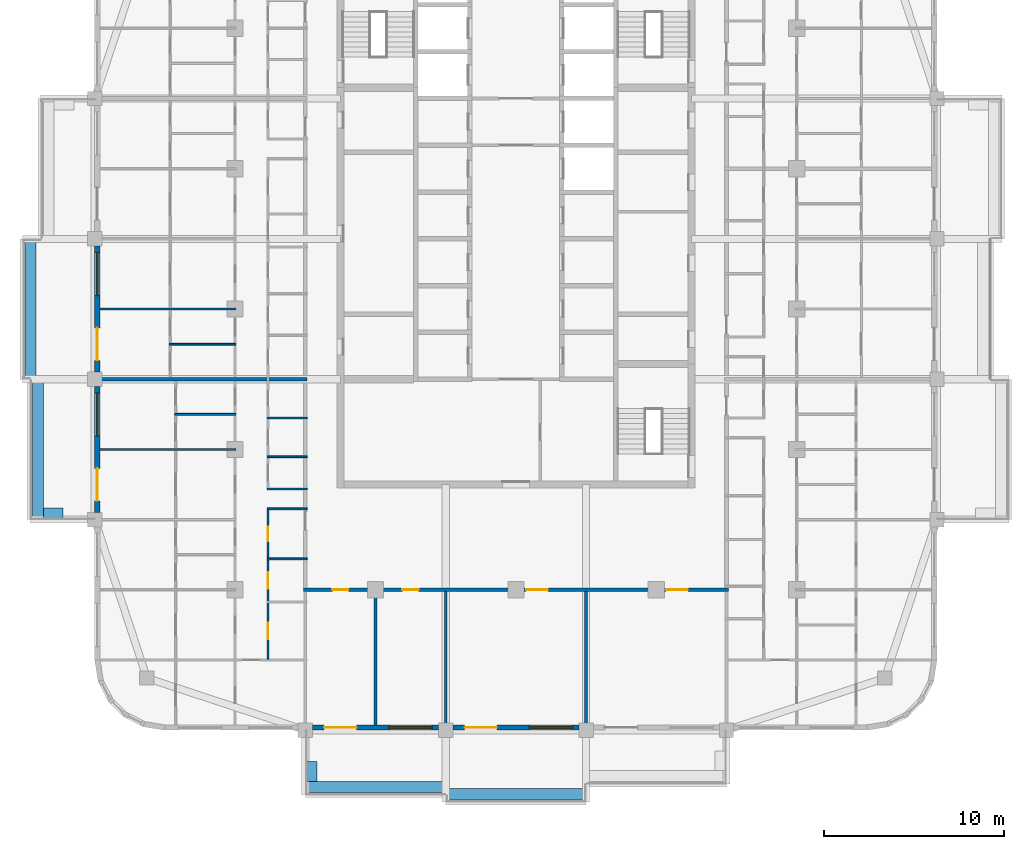
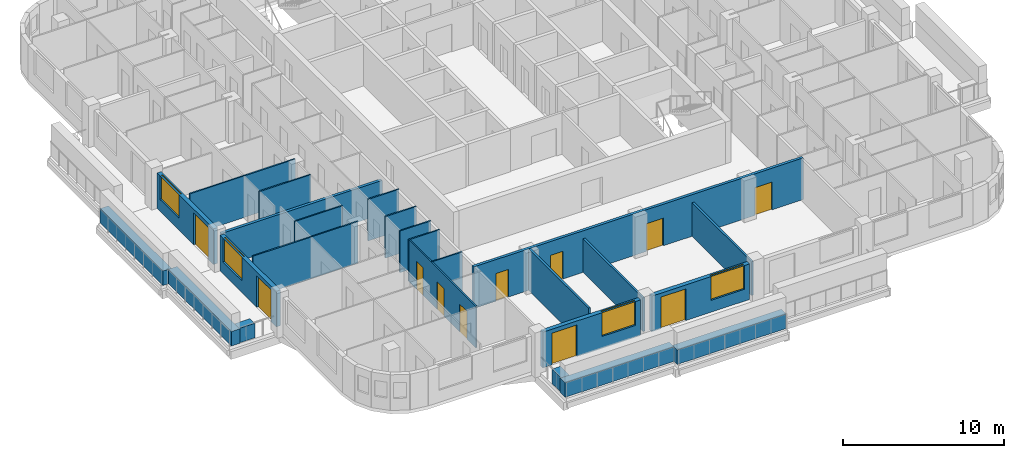
# One storey, part 3 of 16: 25 walls, 11 doors, 4 windows, 15 openings.
"""IFC4 building model written with IfcOpenShell, lengths in metres."""

from ifc_helpers import new_model, si_unit, direction, frame, frame_2d, origin, place, context, subcontext, project, spatial, rectangle, extrude, material, layer, layer_set, type_object, element, fill, save


model = new_model("IFC4")

# Units and contexts
model_context = context("Model", 3, precision=1e-05, world=origin(), true_north=direction((0.0, 1.0)))
body_context = subcontext(model_context, "Body", "Model", "MODEL_VIEW")
ifc_project = project(units=[si_unit("LENGTHUNIT", "METRE"), si_unit("AREAUNIT", "SQUARE_METRE"), si_unit("VOLUMEUNIT", "CUBIC_METRE"), si_unit("PLANEANGLEUNIT", "RADIAN"), si_unit("MASSUNIT", "GRAM", prefix="KILO")], contexts=[model_context])

# Site, building, storey
site_placement = place(None, origin())
site = spatial("IfcSite", under=ifc_project, at=site_placement, CompositionType="ELEMENT")
building_placement = place(site_placement, origin())
building = spatial("IfcBuilding", under=site, at=building_placement, Name="Ludao Terraces", CompositionType="ELEMENT")
storey_placement = place(building_placement, frame((0.0, 0.0, 207.5)))
storey = spatial("IfcBuildingStorey", under=building, at=storey_placement, Name="L56", CompositionType="ELEMENT", Elevation=207.5)

# Walls
ifc_material_1 = material(Name="Concrete C40", Category="concrete")
ifc_layer_1 = layer(ifc_material_1, 0.60009765625)
ifc_layer_set_1 = layer_set([ifc_layer_1], Name="ENV Planter trough 600")
wall_type_1 = type_object("IfcWallType", Name="ENV Planter trough 600", PredefinedType="USERDEFINED", material=ifc_layer_set_1)
wall_1_placement = place(storey_placement, frame((73.300048828125, 38.449951171875, 0.0), z_axis=(0.0, 0.0, 1.0), x_axis=(1.0, 0.0, 0.0)))
element("IfcWall", 1, at=wall_1_placement, inside=storey, type_object=wall_type_1, Name="PL-L56-S1", ObjectType="PLANTER", PredefinedType="USERDEFINED", context=body_context, shape_type="SweptSolid", body=[
    extrude(rectangle(XDim=7.800048828125, YDim=0.60009765625, at=frame_2d((3.89990234375, 0.0))), origin(), (0.0, 0.0, 1.0), 1.10009765625),
])
wall_2_placement = place(storey_placement, frame((73.64990234375, 38.75, 0.0), z_axis=(0.0, 0.0, 1.0), x_axis=(0.0, 1.0, 0.0)))
element("IfcWall", 2, at=wall_2_placement, inside=storey, type_object=wall_type_1, Name="PL-L56-S1-SA", ObjectType="PLANTER", PredefinedType="USERDEFINED", context=body_context, shape_type="SweptSolid", body=[
    extrude(rectangle(XDim=1.10009765625, YDim=0.60009765625, at=frame_2d((0.550048828125, 0.0))), origin(), (0.0, 0.0, 1.0), 1.10009765625),
])
wall_3_placement = place(storey_placement, frame((81.10009765625, 38.050048828125, 0.0), z_axis=(0.0, 0.0, 1.0), x_axis=(1.0, 0.0, 0.0)))
element("IfcWall", 3, at=wall_3_placement, inside=storey, type_object=wall_type_1, Name="PL-L56-S2", ObjectType="PLANTER", PredefinedType="USERDEFINED", context=body_context, shape_type="SweptSolid", body=[
    extrude(rectangle(XDim=7.7998046875, YDim=0.60009765625, at=frame_2d((3.89990234375, 0.0))), origin(), (0.0, 0.0, 1.0), 1.10009765625),
])
wall_4_placement = place(storey_placement, frame((58.449951171875, 53.300048828125, 0.0), z_axis=(0.0, 0.0, 1.0), x_axis=(0.0, 1.0, 0.0)))
element("IfcWall", 4, at=wall_4_placement, inside=storey, type_object=wall_type_1, Name="PL-L56-W1", ObjectType="PLANTER", PredefinedType="USERDEFINED", context=body_context, shape_type="SweptSolid", body=[
    extrude(rectangle(XDim=7.800048828125, YDim=0.60009765625, at=frame_2d((3.89990234375, 0.0))), origin(), (0.0, 0.0, 1.0), 1.10009765625),
])
wall_5_placement = place(storey_placement, frame((58.75, 53.64990234375, 0.0), z_axis=(0.0, 0.0, 1.0), x_axis=(1.0, 0.0, 0.0)))
element("IfcWall", 5, at=wall_5_placement, inside=storey, type_object=wall_type_1, Name="PL-L56-W1-SA", ObjectType="PLANTER", PredefinedType="USERDEFINED", context=body_context, shape_type="SweptSolid", body=[
    extrude(rectangle(XDim=1.10009765625, YDim=0.60009765625, at=frame_2d((0.550048828125, 0.0))), origin(), (0.0, 0.0, 1.0), 1.10009765625),
])
wall_6_placement = place(storey_placement, frame((58.050048828125, 61.10009765625, 0.0), z_axis=(0.0, 0.0, 1.0), x_axis=(0.0, 1.0, 0.0)))
element("IfcWall", 6, at=wall_6_placement, inside=storey, type_object=wall_type_1, Name="PL-L56-W2", ObjectType="PLANTER", PredefinedType="USERDEFINED", context=body_context, shape_type="SweptSolid", body=[
    extrude(rectangle(XDim=7.7998046875, YDim=0.60009765625, at=frame_2d((3.89990234375, 0.0))), origin(), (0.0, 0.0, 1.0), 1.10009765625),
])

# Wall, openings, door, window
ifc_material_2 = material(Name="Granite cladding", Category="masonry")
ifc_layer_2 = layer(ifc_material_2, 0.0400390625, Category="stone")
ifc_material_3 = material(Name="Mineral wool")
ifc_layer_3 = layer(ifc_material_3, 0.06005859375)
ifc_layer_4 = layer(ifc_material_1, 0.199951171875, Category="concrete")
ifc_layer_set_2 = layer_set([ifc_layer_2, ifc_layer_3, ifc_layer_4], Name="ENV Stone-clad wall 300")
wall_type_2 = type_object("IfcWallType", Name="ENV Stone-clad wall 300", PredefinedType="SOLIDWALL", material=ifc_layer_set_2)
wall_7_placement = place(storey_placement, frame((73.699951171875, 41.75, 0.0), z_axis=(0.0, 0.0, 1.0), x_axis=(1.0, 0.0, 0.0)))
wall_7 = element("IfcWall", 7, at=wall_7_placement, inside=storey, type_object=wall_type_2, Name="EW-L56-S2", PredefinedType="SOLIDWALL", context=body_context, shape_type="SweptSolid", body=[
    extrude(rectangle(XDim=7.0, YDim=0.300048828125, at=frame_2d((3.5, 0.0))), origin(), (0.0, 0.0, 1.0), 2.699951171875),
])
opening_1_placement = place(wall_7_placement, frame((0.64990234375, 0.0, 0.0)))
opening_1 = element("IfcOpeningElement", 8, at=opening_1_placement, cuts=wall_7, Name="Opening BD", PredefinedType="OPENING", context=body_context, shape_type="SweptSolid", body=[
    extrude(rectangle(XDim=1.800048828125, YDim=2.39990234375, at=frame_2d((0.89990234375, 1.199951171875))), frame((0.0, 0.16015625, 0.0), z_axis=(0.0, -1.0, 0.0), x_axis=(1.0, 0.0, 0.0)), (0.0, 0.0, 1.0), 0.320068359375),
])
opening_2_placement = place(wall_7_placement, frame((4.25, 0.0, 0.89990234375)))
opening_2 = element("IfcOpeningElement", 9, at=opening_2_placement, cuts=wall_7, Name="Opening W1", PredefinedType="OPENING", context=body_context, shape_type="SweptSolid", body=[
    extrude(rectangle(XDim=2.39990234375, YDim=1.800048828125, at=frame_2d((1.199951171875, 0.89990234375))), frame((0.0, 0.16015625, 0.0), z_axis=(0.0, -1.0, 0.0), x_axis=(1.0, 0.0, 0.0)), (0.0, 0.0, 1.0), 0.320068359375),
])
ifc_material_4 = material(Name="Aluminium glazed door", Category="aluminium")
ifc_layer_5 = layer(ifc_material_4, 0.06005859375)
ifc_layer_set_3 = layer_set([ifc_layer_5], Name="ENV Balcony door BD 1800x2400")
door_type_1 = type_object("IfcDoorType", Name="ENV Balcony door BD 1800x2400", OperationType="DOUBLE_DOOR_SINGLE_SWING", PredefinedType="DOOR", material=ifc_layer_set_3)
door_1_placement = place(opening_1_placement, origin())
door_1 = element("IfcDoor", 10, at=door_1_placement, inside=storey, type_object=door_type_1, Name="BD-L56-S2-1", OperationType="DOUBLE_DOOR_SINGLE_SWING", OverallHeight=2.39990234375, OverallWidth=1.800048828125, PredefinedType="DOOR", context=body_context, shape_type="SweptSolid", body=[
    extrude(rectangle(XDim=1.800048828125, YDim=2.39990234375, at=frame_2d((0.89990234375, 1.199951171875))), frame((0.0, 0.02490234375, 0.0), z_axis=(0.0, -1.0, 0.0), x_axis=(1.0, 0.0, 0.0)), (0.0, 0.0, 1.0), 0.050048828125),
])
fill(opening_1, door_1)
ifc_material_5 = material(Name="Clear glass in aluminium frame", Category="aluminium")
ifc_layer_6 = layer(ifc_material_5, 0.06005859375)
ifc_layer_set_4 = layer_set([ifc_layer_6], Name="ENV Window W1 2400x1800")
window_type = type_object("IfcWindowType", Name="ENV Window W1 2400x1800", PartitioningType="DOUBLE_PANEL_VERTICAL", PredefinedType="WINDOW", material=ifc_layer_set_4)
window_1_placement = place(opening_2_placement, origin())
window_1 = element("IfcWindow", 11, at=window_1_placement, inside=storey, type_object=window_type, Name="W-L56-S2-2", OverallHeight=1.800048828125, OverallWidth=2.39990234375, PartitioningType="DOUBLE_PANEL_VERTICAL", PredefinedType="WINDOW", context=body_context, shape_type="SweptSolid", body=[
    extrude(rectangle(XDim=2.39990234375, YDim=1.800048828125, at=frame_2d((1.199951171875, 0.89990234375))), frame((0.0, 0.030029296875, 0.0), z_axis=(0.0, -1.0, 0.0), x_axis=(1.0, 0.0, 0.0)), (0.0, 0.0, 1.0), 0.06005859375),
])
fill(opening_2, window_1)

wall_8_placement = place(storey_placement, frame((81.5, 41.75, 0.0), z_axis=(0.0, 0.0, 1.0), x_axis=(1.0, 0.0, 0.0)))
wall_8 = element("IfcWall", 12, at=wall_8_placement, inside=storey, type_object=wall_type_2, Name="EW-L56-S3", PredefinedType="SOLIDWALL", context=body_context, shape_type="SweptSolid", body=[
    extrude(rectangle(XDim=7.0, YDim=0.300048828125, at=frame_2d((3.5, 0.0))), origin(), (0.0, 0.0, 1.0), 2.699951171875),
])
opening_3_placement = place(wall_8_placement, frame((0.64990234375, 0.0, 0.0)))
opening_3 = element("IfcOpeningElement", 13, at=opening_3_placement, cuts=wall_8, Name="Opening BD", PredefinedType="OPENING", context=body_context, shape_type="SweptSolid", body=[
    extrude(rectangle(XDim=1.800048828125, YDim=2.39990234375, at=frame_2d((0.89990234375, 1.199951171875))), frame((0.0, 0.16015625, 0.0), z_axis=(0.0, -1.0, 0.0), x_axis=(1.0, 0.0, 0.0)), (0.0, 0.0, 1.0), 0.320068359375),
])
opening_4_placement = place(wall_8_placement, frame((4.25, 0.0, 0.89990234375)))
opening_4 = element("IfcOpeningElement", 14, at=opening_4_placement, cuts=wall_8, Name="Opening W1", PredefinedType="OPENING", context=body_context, shape_type="SweptSolid", body=[
    extrude(rectangle(XDim=2.39990234375, YDim=1.800048828125, at=frame_2d((1.199951171875, 0.89990234375))), frame((0.0, 0.16015625, 0.0), z_axis=(0.0, -1.0, 0.0), x_axis=(1.0, 0.0, 0.0)), (0.0, 0.0, 1.0), 0.320068359375),
])
door_2_placement = place(opening_3_placement, origin())
door_2 = element("IfcDoor", 15, at=door_2_placement, inside=storey, type_object=door_type_1, Name="BD-L56-S3-1", OperationType="DOUBLE_DOOR_SINGLE_SWING", OverallHeight=2.39990234375, OverallWidth=1.800048828125, PredefinedType="DOOR", context=body_context, shape_type="SweptSolid", body=[
    extrude(rectangle(XDim=1.800048828125, YDim=2.39990234375, at=frame_2d((0.89990234375, 1.199951171875))), frame((0.0, 0.02490234375, 0.0), z_axis=(0.0, -1.0, 0.0), x_axis=(1.0, 0.0, 0.0)), (0.0, 0.0, 1.0), 0.050048828125),
])
fill(opening_3, door_2)
window_2_placement = place(opening_4_placement, origin())
window_2 = element("IfcWindow", 16, at=window_2_placement, inside=storey, type_object=window_type, Name="W-L56-S3-2", OverallHeight=1.800048828125, OverallWidth=2.39990234375, PartitioningType="DOUBLE_PANEL_VERTICAL", PredefinedType="WINDOW", context=body_context, shape_type="SweptSolid", body=[
    extrude(rectangle(XDim=2.39990234375, YDim=1.800048828125, at=frame_2d((1.199951171875, 0.89990234375))), frame((0.0, 0.030029296875, 0.0), z_axis=(0.0, -1.0, 0.0), x_axis=(1.0, 0.0, 0.0)), (0.0, 0.0, 1.0), 0.06005859375),
])
fill(opening_4, window_2)

wall_9_placement = place(storey_placement, frame((61.75, 53.699951171875, 0.0), z_axis=(0.0, 0.0, 1.0), x_axis=(0.0, 1.0, 0.0)))
wall_9 = element("IfcWall", 17, at=wall_9_placement, inside=storey, type_object=wall_type_2, Name="EW-L56-W2", PredefinedType="SOLIDWALL", context=body_context, shape_type="SweptSolid", body=[
    extrude(rectangle(XDim=7.0, YDim=0.300048828125, at=frame_2d((3.5, 0.0))), origin(), (0.0, 0.0, 1.0), 2.699951171875),
])
opening_5_placement = place(wall_9_placement, frame((0.64990234375, 0.0, 0.0)))
opening_5 = element("IfcOpeningElement", 18, at=opening_5_placement, cuts=wall_9, Name="Opening BD", PredefinedType="OPENING", context=body_context, shape_type="SweptSolid", body=[
    extrude(rectangle(XDim=1.800048828125, YDim=2.39990234375, at=frame_2d((0.89990234375, 1.199951171875))), frame((0.0, 0.16015625, 0.0), z_axis=(0.0, -1.0, 0.0), x_axis=(1.0, 0.0, 0.0)), (0.0, 0.0, 1.0), 0.320068359375),
])
opening_6_placement = place(wall_9_placement, frame((4.25, 0.0, 0.89990234375)))
opening_6 = element("IfcOpeningElement", 19, at=opening_6_placement, cuts=wall_9, Name="Opening W1", PredefinedType="OPENING", context=body_context, shape_type="SweptSolid", body=[
    extrude(rectangle(XDim=2.39990234375, YDim=1.800048828125, at=frame_2d((1.199951171875, 0.89990234375))), frame((0.0, 0.16015625, 0.0), z_axis=(0.0, -1.0, 0.0), x_axis=(1.0, 0.0, 0.0)), (0.0, 0.0, 1.0), 0.320068359375),
])
door_3_placement = place(opening_5_placement, origin())
door_3 = element("IfcDoor", 20, at=door_3_placement, inside=storey, type_object=door_type_1, Name="BD-L56-W2-1", OperationType="DOUBLE_DOOR_SINGLE_SWING", OverallHeight=2.39990234375, OverallWidth=1.800048828125, PredefinedType="DOOR", context=body_context, shape_type="SweptSolid", body=[
    extrude(rectangle(XDim=1.800048828125, YDim=2.39990234375, at=frame_2d((0.89990234375, 1.199951171875))), frame((0.0, 0.02490234375, 0.0), z_axis=(0.0, -1.0, 0.0), x_axis=(1.0, 0.0, 0.0)), (0.0, 0.0, 1.0), 0.050048828125),
])
fill(opening_5, door_3)
window_3_placement = place(opening_6_placement, origin())
window_3 = element("IfcWindow", 21, at=window_3_placement, inside=storey, type_object=window_type, Name="W-L56-W2-2", OverallHeight=1.800048828125, OverallWidth=2.39990234375, PartitioningType="DOUBLE_PANEL_VERTICAL", PredefinedType="WINDOW", context=body_context, shape_type="SweptSolid", body=[
    extrude(rectangle(XDim=2.39990234375, YDim=1.800048828125, at=frame_2d((1.199951171875, 0.89990234375))), frame((0.0, 0.030029296875, 0.0), z_axis=(0.0, -1.0, 0.0), x_axis=(1.0, 0.0, 0.0)), (0.0, 0.0, 1.0), 0.06005859375),
])
fill(opening_6, window_3)

wall_10_placement = place(storey_placement, frame((61.75, 61.5, 0.0), z_axis=(0.0, 0.0, 1.0), x_axis=(0.0, 1.0, 0.0)))
wall_10 = element("IfcWall", 22, at=wall_10_placement, inside=storey, type_object=wall_type_2, Name="EW-L56-W3", PredefinedType="SOLIDWALL", context=body_context, shape_type="SweptSolid", body=[
    extrude(rectangle(XDim=7.0, YDim=0.300048828125, at=frame_2d((3.5, 0.0))), origin(), (0.0, 0.0, 1.0), 2.699951171875),
])
opening_7_placement = place(wall_10_placement, frame((0.64990234375, 0.0, 0.0)))
opening_7 = element("IfcOpeningElement", 23, at=opening_7_placement, cuts=wall_10, Name="Opening BD", PredefinedType="OPENING", context=body_context, shape_type="SweptSolid", body=[
    extrude(rectangle(XDim=1.800048828125, YDim=2.39990234375, at=frame_2d((0.89990234375, 1.199951171875))), frame((0.0, 0.16015625, 0.0), z_axis=(0.0, -1.0, 0.0), x_axis=(1.0, 0.0, 0.0)), (0.0, 0.0, 1.0), 0.320068359375),
])
opening_8_placement = place(wall_10_placement, frame((4.25, 0.0, 0.89990234375)))
opening_8 = element("IfcOpeningElement", 24, at=opening_8_placement, cuts=wall_10, Name="Opening W1", PredefinedType="OPENING", context=body_context, shape_type="SweptSolid", body=[
    extrude(rectangle(XDim=2.39990234375, YDim=1.800048828125, at=frame_2d((1.199951171875, 0.89990234375))), frame((0.0, 0.16015625, 0.0), z_axis=(0.0, -1.0, 0.0), x_axis=(1.0, 0.0, 0.0)), (0.0, 0.0, 1.0), 0.320068359375),
])
door_4_placement = place(opening_7_placement, origin())
door_4 = element("IfcDoor", 25, at=door_4_placement, inside=storey, type_object=door_type_1, Name="BD-L56-W3-1", OperationType="DOUBLE_DOOR_SINGLE_SWING", OverallHeight=2.39990234375, OverallWidth=1.800048828125, PredefinedType="DOOR", context=body_context, shape_type="SweptSolid", body=[
    extrude(rectangle(XDim=1.800048828125, YDim=2.39990234375, at=frame_2d((0.89990234375, 1.199951171875))), frame((0.0, 0.02490234375, 0.0), z_axis=(0.0, -1.0, 0.0), x_axis=(1.0, 0.0, 0.0)), (0.0, 0.0, 1.0), 0.050048828125),
])
fill(opening_7, door_4)
window_4_placement = place(opening_8_placement, origin())
window_4 = element("IfcWindow", 26, at=window_4_placement, inside=storey, type_object=window_type, Name="W-L56-W3-2", OverallHeight=1.800048828125, OverallWidth=2.39990234375, PartitioningType="DOUBLE_PANEL_VERTICAL", PredefinedType="WINDOW", context=body_context, shape_type="SweptSolid", body=[
    extrude(rectangle(XDim=2.39990234375, YDim=1.800048828125, at=frame_2d((1.199951171875, 0.89990234375))), frame((0.0, 0.030029296875, 0.0), z_axis=(0.0, -1.0, 0.0), x_axis=(1.0, 0.0, 0.0)), (0.0, 0.0, 1.0), 0.06005859375),
])
fill(opening_8, window_4)

# Wall, openings, doors
ifc_material_6 = material(Name="Autoclaved aerated concrete block B06 A3.5", Category="concrete")
ifc_layer_7 = layer(ifc_material_6, 0.199951171875)
ifc_layer_set_5 = layer_set([ifc_layer_7], Name="INT Entrance wall 200")
wall_type_3 = type_object("IfcWallType", Name="INT Entrance wall 200", PredefinedType="PARTITIONING", material=ifc_layer_set_5)
wall_11_placement = place(storey_placement, frame((73.2001953125, 49.39990234375, 0.0), z_axis=(0.0, 0.0, 1.0), x_axis=(1.0, 0.0, 0.0)))
wall_11 = element("IfcWall", 27, at=wall_11_placement, inside=storey, type_object=wall_type_3, Name="PW-L56-PW006", PredefinedType="PARTITIONING", context=body_context, shape_type="SweptSolid", body=[
    extrude(rectangle(XDim=23.599853515625, YDim=0.199951171875, at=frame_2d((11.7998046875, 0.0))), origin(), (0.0, 0.0, 1.0), 3.14990234375),
])
opening_9_placement = place(wall_11_placement, frame((1.599853515625, 0.0, 0.0)))
opening_9 = element("IfcOpeningElement", 28, at=opening_9_placement, cuts=wall_11, Name="Opening R20-015", PredefinedType="OPENING", context=body_context, shape_type="SweptSolid", body=[
    extrude(rectangle(XDim=0.89990234375, YDim=2.10009765625, at=frame_2d((0.449951171875, 1.050048828125))), frame((0.0, 0.10986328125, 0.0), z_axis=(0.0, -1.0, 0.0), x_axis=(1.0, 0.0, 0.0)), (0.0, 0.0, 1.0), 0.219970703125),
])
opening_10_placement = place(wall_11_placement, frame((5.5, 0.0, 0.0)))
opening_10 = element("IfcOpeningElement", 29, at=opening_10_placement, cuts=wall_11, Name="Opening R20-016", PredefinedType="OPENING", context=body_context, shape_type="SweptSolid", body=[
    extrude(rectangle(XDim=0.89990234375, YDim=2.10009765625, at=frame_2d((0.449951171875, 1.050048828125))), frame((0.0, 0.10986328125, 0.0), z_axis=(0.0, -1.0, 0.0), x_axis=(1.0, 0.0, 0.0)), (0.0, 0.0, 1.0), 0.219970703125),
])
opening_11_placement = place(wall_11_placement, frame((12.375, 0.0, 0.0)))
opening_11 = element("IfcOpeningElement", 30, at=opening_11_placement, cuts=wall_11, Name="Opening R20-017", PredefinedType="OPENING", context=body_context, shape_type="SweptSolid", body=[
    extrude(rectangle(XDim=1.199951171875, YDim=2.10009765625, at=frame_2d((0.60009765625, 1.050048828125))), frame((0.0, 0.10986328125, 0.0), z_axis=(0.0, -1.0, 0.0), x_axis=(1.0, 0.0, 0.0)), (0.0, 0.0, 1.0), 0.219970703125),
])
opening_12_placement = place(wall_11_placement, frame((20.14990234375, 0.0, 0.0)))
opening_12 = element("IfcOpeningElement", 31, at=opening_12_placement, cuts=wall_11, Name="Opening R20-018", PredefinedType="OPENING", context=body_context, shape_type="SweptSolid", body=[
    extrude(rectangle(XDim=1.199951171875, YDim=2.10009765625, at=frame_2d((0.60009765625, 1.050048828125))), frame((0.0, 0.10986328125, 0.0), z_axis=(0.0, -1.0, 0.0), x_axis=(1.0, 0.0, 0.0)), (0.0, 0.0, 1.0), 0.219970703125),
])
ifc_material_7 = material(Name="Timber door leaf", Category="wood")
door_type_2 = type_object("IfcDoorType", Name="INT Double door 1200", OperationType="DOUBLE_DOOR_SINGLE_SWING", PredefinedType="DOOR", material=ifc_material_7)
door_5_placement = place(opening_11_placement, origin())
door_5 = element("IfcDoor", 32, at=door_5_placement, inside=storey, type_object=door_type_2, Name="DOOR 017", OperationType="DOUBLE_DOOR_SINGLE_SWING", OverallHeight=2.10009765625, OverallWidth=1.199951171875, PredefinedType="DOOR", context=body_context, shape_type="SweptSolid", body=[
    extrude(rectangle(XDim=1.199951171875, YDim=2.10009765625, at=frame_2d((0.60009765625, 1.050048828125))), frame((0.0, 0.02490234375, 0.0), z_axis=(0.0, -1.0, 0.0), x_axis=(1.0, 0.0, 0.0)), (0.0, 0.0, 1.0), 0.050048828125),
])
fill(opening_11, door_5)
door_6_placement = place(opening_12_placement, origin())
door_6 = element("IfcDoor", 33, at=door_6_placement, inside=storey, type_object=door_type_2, Name="DOOR 018", OperationType="DOUBLE_DOOR_SINGLE_SWING", OverallHeight=2.10009765625, OverallWidth=1.199951171875, PredefinedType="DOOR", context=body_context, shape_type="SweptSolid", body=[
    extrude(rectangle(XDim=1.199951171875, YDim=2.10009765625, at=frame_2d((0.60009765625, 1.050048828125))), frame((0.0, 0.02490234375, 0.0), z_axis=(0.0, -1.0, 0.0), x_axis=(1.0, 0.0, 0.0)), (0.0, 0.0, 1.0), 0.050048828125),
])
fill(opening_12, door_6)
door_type_3 = type_object("IfcDoorType", Name="INT Room door 900", OperationType="SINGLE_SWING_LEFT", PredefinedType="DOOR", material=ifc_material_7)
door_7_placement = place(opening_9_placement, origin())
door_7 = element("IfcDoor", 34, at=door_7_placement, inside=storey, type_object=door_type_3, Name="DOOR 015", OperationType="SINGLE_SWING_LEFT", OverallHeight=2.10009765625, OverallWidth=0.89990234375, PredefinedType="DOOR", context=body_context, shape_type="SweptSolid", body=[
    extrude(rectangle(XDim=0.89990234375, YDim=2.10009765625, at=frame_2d((0.449951171875, 1.050048828125))), frame((0.0, 0.02490234375, 0.0), z_axis=(0.0, -1.0, 0.0), x_axis=(1.0, 0.0, 0.0)), (0.0, 0.0, 1.0), 0.050048828125),
])
fill(opening_9, door_7)
door_8_placement = place(opening_10_placement, origin())
door_8 = element("IfcDoor", 35, at=door_8_placement, inside=storey, type_object=door_type_3, Name="DOOR 016", OperationType="SINGLE_SWING_RIGHT", OverallHeight=2.10009765625, OverallWidth=0.89990234375, PredefinedType="DOOR", context=body_context, shape_type="SweptSolid", body=[
    extrude(rectangle(XDim=0.89990234375, YDim=2.10009765625, at=frame_2d((0.449951171875, 1.050048828125))), frame((0.0, 0.02490234375, 0.0), z_axis=(0.0, -1.0, 0.0), x_axis=(1.0, 0.0, 0.0)), (0.0, 0.0, 1.0), 0.050048828125),
])
fill(opening_10, door_8)

# Walls
ifc_material_8 = material(Name="Gypsum plasterboard", Category="gypsum")
ifc_layer_8 = layer(ifc_material_8, 0.012451171875, Category="gypsum")
ifc_layer_9 = layer(ifc_material_3, 0.06005859375, Name="insulation")
ifc_material_9 = material(Name="Steel Q235", Category="steel")
ifc_layer_10 = layer(ifc_material_9, 0.014892578125, Name="stud")
ifc_layer_11 = layer(ifc_material_8, 0.012451171875, Category="gypsum")
ifc_layer_set_6 = layer_set([ifc_layer_8, ifc_layer_9, ifc_layer_10, ifc_layer_11], Name="INT Partition 100")
wall_type_4 = type_object("IfcWallType", Name="INT Partition 100", PredefinedType="PARTITIONING", material=ifc_layer_set_6)
for number, where, z_axis, x_axis, name in (
    (36, (71.18017578125, 51.1201171875, 0.0), (0.0, 0.0, 1.0), (1.0, 0.0, 0.0), "PW-L56-PW009"),
    (37, (71.18017578125, 53.89990234375, 0.0), (0.0, 0.0, 1.0), (1.0, 0.0, 0.0), "PW-L56-PW014"),
    (38, (71.18017578125, 55.0, 0.0), (0.0, 0.0, 1.0), (1.0, 0.0, 0.0), "PW-L56-PW016"),
    (39, (71.18017578125, 56.800048828125, 0.0), (0.0, 0.0, 1.0), (1.0, 0.0, 0.0), "PW-L56-PW018"),
):
    element("IfcWall", number, at=place(storey_placement, frame(where, z_axis=z_axis, x_axis=x_axis)), inside=storey, type_object=wall_type_4, Name=name, PredefinedType="PARTITIONING", context=body_context, shape_type="SweptSolid", body=[
        extrude(rectangle(XDim=2.219970703125, YDim=0.10009765625, at=frame_2d((1.10986328125, 0.0))), origin(), (0.0, 0.0, 1.0), 3.14990234375),
    ])
wall_12_placement = place(storey_placement, frame((61.900146484375, 57.199951171875, 0.0), z_axis=(0.0, 0.0, 1.0), x_axis=(1.0, 0.0, 0.0)))
element("IfcWall", 40, at=wall_12_placement, inside=storey, type_object=wall_type_4, Name="PW-L56-PW019", PredefinedType="PARTITIONING", context=body_context, shape_type="SweptSolid", body=[
    extrude(rectangle(XDim=7.550048828125, YDim=0.10009765625, at=frame_2d((3.77490234375, 0.0))), origin(), (0.0, 0.0, 1.0), 3.14990234375),
])
wall_13_placement = place(storey_placement, frame((71.18017578125, 58.949951171875, 0.0), z_axis=(0.0, 0.0, 1.0), x_axis=(1.0, 0.0, 0.0)))
element("IfcWall", 41, at=wall_13_placement, inside=storey, type_object=wall_type_4, Name="PW-L56-PW022", PredefinedType="PARTITIONING", context=body_context, shape_type="SweptSolid", body=[
    extrude(rectangle(XDim=2.219970703125, YDim=0.10009765625, at=frame_2d((1.10986328125, 0.0))), origin(), (0.0, 0.0, 1.0), 3.14990234375),
])
wall_14_placement = place(storey_placement, frame((66.050048828125, 59.14990234375, 0.0), z_axis=(0.0, 0.0, 1.0), x_axis=(1.0, 0.0, 0.0)))
element("IfcWall", 42, at=wall_14_placement, inside=storey, type_object=wall_type_4, Name="PW-L56-PW024", PredefinedType="PARTITIONING", context=body_context, shape_type="SweptSolid", body=[
    extrude(rectangle(XDim=3.400146484375, YDim=0.10009765625, at=frame_2d((1.7001953125, 0.0))), origin(), (0.0, 0.0, 1.0), 3.14990234375),
])
wall_15_placement = place(storey_placement, frame((65.75, 63.050048828125, 0.0), z_axis=(0.0, 0.0, 1.0), x_axis=(1.0, 0.0, 0.0)))
element("IfcWall", 43, at=wall_15_placement, inside=storey, type_object=wall_type_4, Name="PW-L56-PW030", PredefinedType="PARTITIONING", context=body_context, shape_type="SweptSolid", body=[
    extrude(rectangle(XDim=3.7001953125, YDim=0.10009765625, at=frame_2d((1.85009765625, 0.0))), origin(), (0.0, 0.0, 1.0), 3.14990234375),
])
wall_16_placement = place(storey_placement, frame((61.900146484375, 65.0, 0.0), z_axis=(0.0, 0.0, 1.0), x_axis=(1.0, 0.0, 0.0)))
element("IfcWall", 44, at=wall_16_placement, inside=storey, type_object=wall_type_4, Name="PW-L56-PW033", PredefinedType="PARTITIONING", context=body_context, shape_type="SweptSolid", body=[
    extrude(rectangle(XDim=7.550048828125, YDim=0.10009765625, at=frame_2d((3.77490234375, 0.0))), origin(), (0.0, 0.0, 1.0), 3.14990234375),
])

# Wall, openings, doors
wall_17_placement = place(storey_placement, frame((71.22998046875, 45.550048828125, 0.0), z_axis=(0.0, 0.0, 1.0), x_axis=(0.0, 1.0, 0.0)))
wall_17 = element("IfcWall", 45, at=wall_17_placement, inside=storey, type_object=wall_type_4, Name="PW-L56-PW073", PredefinedType="PARTITIONING", context=body_context, shape_type="SweptSolid", body=[
    extrude(rectangle(XDim=8.300048828125, YDim=0.10009765625, at=frame_2d((4.14990234375, 0.0))), origin(), (0.0, 0.0, 1.0), 3.14990234375),
])
opening_13_placement = place(wall_17_placement, frame((1.110107421875, 0.0, 0.0)))
opening_13 = element("IfcOpeningElement", 46, at=opening_13_placement, cuts=wall_17, Name="Opening R20-009", PredefinedType="OPENING", context=body_context, shape_type="SweptSolid", body=[
    extrude(rectangle(XDim=0.89990234375, YDim=2.10009765625, at=frame_2d((0.449951171875, 1.050048828125))), frame((0.0, 0.06005859375, 0.0), z_axis=(0.0, -1.0, 0.0), x_axis=(1.0, 0.0, 0.0)), (0.0, 0.0, 1.0), 0.1201171875),
])
opening_14_placement = place(wall_17_placement, frame((3.919921875, 0.0, 0.0)))
opening_14 = element("IfcOpeningElement", 47, at=opening_14_placement, cuts=wall_17, Name="Opening R20-019", PredefinedType="OPENING", context=body_context, shape_type="SweptSolid", body=[
    extrude(rectangle(XDim=0.89990234375, YDim=2.10009765625, at=frame_2d((0.449951171875, 1.050048828125))), frame((0.0, 0.06005859375, 0.0), z_axis=(0.0, -1.0, 0.0), x_axis=(1.0, 0.0, 0.0)), (0.0, 0.0, 1.0), 0.1201171875),
])
opening_15_placement = place(wall_17_placement, frame((6.56005859375, 0.0, 0.0)))
opening_15 = element("IfcOpeningElement", 48, at=opening_15_placement, cuts=wall_17, Name="Opening R20-026", PredefinedType="OPENING", context=body_context, shape_type="SweptSolid", body=[
    extrude(rectangle(XDim=0.800048828125, YDim=2.10009765625, at=frame_2d((0.39990234375, 1.050048828125))), frame((0.0, 0.06005859375, 0.0), z_axis=(0.0, -1.0, 0.0), x_axis=(1.0, 0.0, 0.0)), (0.0, 0.0, 1.0), 0.1201171875),
])
door_type_4 = type_object("IfcDoorType", Name="INT Bathroom door 900", OperationType="SINGLE_SWING_LEFT", PredefinedType="DOOR", material=ifc_material_7)
door_9_placement = place(opening_14_placement, origin())
door_9 = element("IfcDoor", 49, at=door_9_placement, inside=storey, type_object=door_type_4, Name="DOOR 019", OperationType="SINGLE_SWING_RIGHT", OverallHeight=2.10009765625, OverallWidth=0.89990234375, PredefinedType="DOOR", context=body_context, shape_type="SweptSolid", body=[
    extrude(rectangle(XDim=0.89990234375, YDim=2.10009765625, at=frame_2d((0.449951171875, 1.050048828125))), frame((0.0, 0.02490234375, 0.0), z_axis=(0.0, -1.0, 0.0), x_axis=(1.0, 0.0, 0.0)), (0.0, 0.0, 1.0), 0.050048828125),
])
fill(opening_14, door_9)
door_10_placement = place(opening_13_placement, origin())
door_10 = element("IfcDoor", 50, at=door_10_placement, inside=storey, type_object=door_type_3, Name="DOOR 009", OperationType="SINGLE_SWING_RIGHT", OverallHeight=2.10009765625, OverallWidth=0.89990234375, PredefinedType="DOOR", context=body_context, shape_type="SweptSolid", body=[
    extrude(rectangle(XDim=0.89990234375, YDim=2.10009765625, at=frame_2d((0.449951171875, 1.050048828125))), frame((0.0, 0.02490234375, 0.0), z_axis=(0.0, -1.0, 0.0), x_axis=(1.0, 0.0, 0.0)), (0.0, 0.0, 1.0), 0.050048828125),
])
fill(opening_13, door_10)
door_type_5 = type_object("IfcDoorType", Name="INT Store door 800", OperationType="SINGLE_SWING_LEFT", PredefinedType="DOOR", material=ifc_material_7)
door_11_placement = place(opening_15_placement, origin())
door_11 = element("IfcDoor", 51, at=door_11_placement, inside=storey, type_object=door_type_5, Name="DOOR 026", OperationType="SINGLE_SWING_RIGHT", OverallHeight=2.10009765625, OverallWidth=0.800048828125, PredefinedType="DOOR", context=body_context, shape_type="SweptSolid", body=[
    extrude(rectangle(XDim=0.800048828125, YDim=2.10009765625, at=frame_2d((0.39990234375, 1.050048828125))), frame((0.0, 0.02490234375, 0.0), z_axis=(0.0, -1.0, 0.0), x_axis=(1.0, 0.0, 0.0)), (0.0, 0.0, 1.0), 0.050048828125),
])
fill(opening_15, door_11)

# Walls
ifc_layer_12 = layer(ifc_material_6, 0.14990234375)
ifc_layer_set_7 = layer_set([ifc_layer_12], Name="INT Party wall 150")
wall_type_5 = type_object("IfcWallType", Name="INT Party wall 150", PredefinedType="PARTITIONING", material=ifc_layer_set_7)
wall_18_placement = place(storey_placement, frame((77.199951171875, 41.900146484375, 0.0), z_axis=(0.0, 0.0, 1.0), x_axis=(0.0, 1.0, 0.0)))
element("IfcWall", 52, at=wall_18_placement, inside=storey, type_object=wall_type_5, Name="PW-L56-PW080", PredefinedType="PARTITIONING", context=body_context, shape_type="SweptSolid", body=[
    extrude(rectangle(XDim=7.39990234375, YDim=0.14990234375, at=frame_2d((3.699951171875, 0.0))), origin(), (0.0, 0.0, 1.0), 3.14990234375),
])
for number, where, z_axis, x_axis, name in (
    (53, (81.10009765625, 41.900146484375, 0.0), (0.0, 0.0, 1.0), (0.0, 1.0, 0.0), "PW-L56-PW082"),
    (54, (88.89990234375, 41.900146484375, 0.0), (0.0, 0.0, 1.0), (0.0, 1.0, 0.0), "PW-L56-PW086"),
):
    element("IfcWall", number, at=place(storey_placement, frame(where, z_axis=z_axis, x_axis=x_axis)), inside=storey, type_object=wall_type_5, Name=name, PredefinedType="PARTITIONING", context=body_context, shape_type="SweptSolid", body=[
        extrude(rectangle(XDim=7.39990234375, YDim=0.14990234375, at=frame_2d((3.699951171875, 0.0))), origin(), (0.0, 0.0, 1.0), 2.550048828125),
    ])
ifc_layer_13 = layer(ifc_material_6, 0.199951171875)
ifc_layer_set_8 = layer_set([ifc_layer_13], Name="INT Party wall 200")
wall_type_6 = type_object("IfcWallType", Name="INT Party wall 200", PredefinedType="PARTITIONING", material=ifc_layer_set_8)
wall_19_placement = place(storey_placement, frame((61.900146484375, 61.10009765625, 0.0), z_axis=(0.0, 0.0, 1.0), x_axis=(1.0, 0.0, 0.0)))
element("IfcWall", 55, at=wall_19_placement, inside=storey, type_object=wall_type_6, Name="PW-L56-PW026", PredefinedType="PARTITIONING", context=body_context, shape_type="SweptSolid", body=[
    extrude(rectangle(XDim=11.5, YDim=0.199951171875, at=frame_2d((5.75, 0.0))), origin(), (0.0, 0.0, 1.0), 2.550048828125),
])

save(model, "model.ifc")
